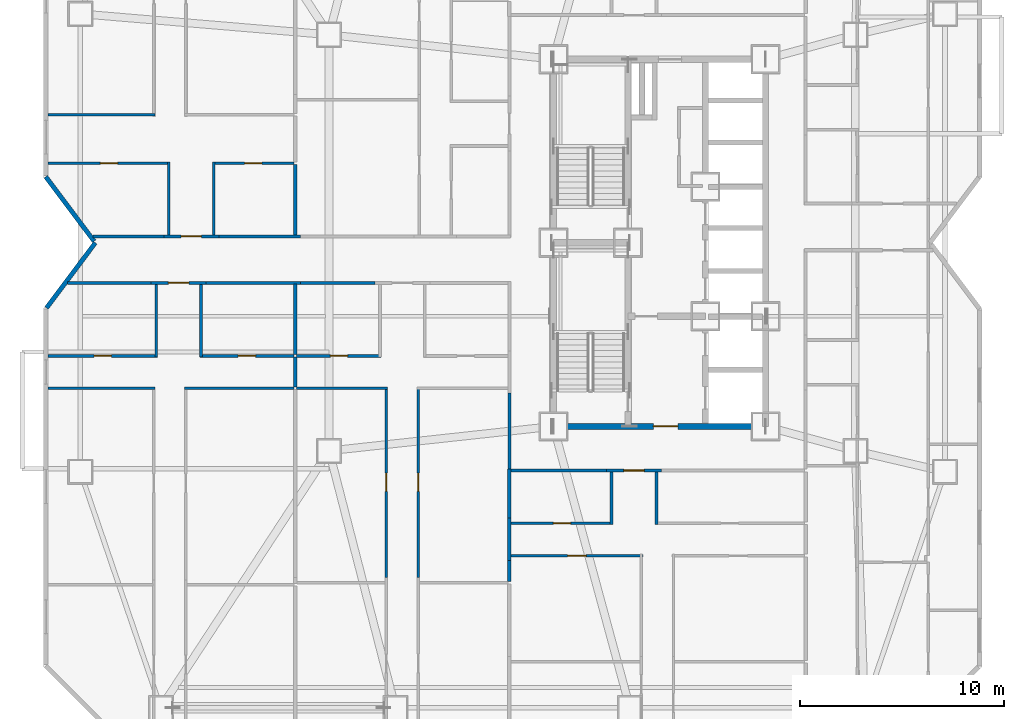
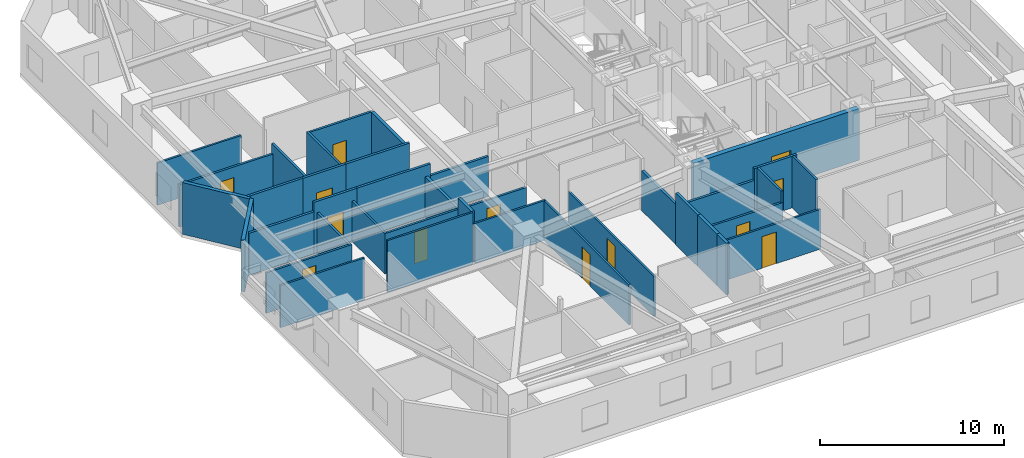
# One storey, part 8 of 14: 38 walls, 13 doors, 13 openings.
"""IFC4 building model written with IfcOpenShell, lengths in metres."""

from ifc_helpers import new_model, si_unit, direction, frame, frame_2d, origin, place, context, subcontext, project, spatial, rectangle, extrude, material, layer, layer_set, type_object, element, fill, save


model = new_model("IFC4")

# Units and contexts
model_context = context("Model", 3, precision=1e-05, world=origin(), true_north=direction((0.0, 1.0)))
body_context = subcontext(model_context, "Body", "Model", "MODEL_VIEW")
ifc_project = project(units=[si_unit("LENGTHUNIT", "METRE"), si_unit("AREAUNIT", "SQUARE_METRE"), si_unit("VOLUMEUNIT", "CUBIC_METRE"), si_unit("PLANEANGLEUNIT", "RADIAN"), si_unit("MASSUNIT", "GRAM", prefix="KILO")], contexts=[model_context])

# Site, building, storey
site_placement = place(None, origin())
site = spatial("IfcSite", under=ifc_project, at=site_placement, CompositionType="ELEMENT")
building_placement = place(site_placement, origin())
building = spatial("IfcBuilding", under=site, at=building_placement, Name="Khamvora Tower", CompositionType="ELEMENT")
storey_placement = place(building_placement, frame((0.0, 0.0, 40.60009765625)))
storey = spatial("IfcBuildingStorey", under=building, at=storey_placement, Name="L09", CompositionType="ELEMENT", Elevation=40.60009765625)

# Wall, opening, door
ifc_material_1 = material(Name="Concrete C50/60", Category="concrete")
ifc_layer_1 = layer(ifc_material_1, 0.300048828125)
ifc_layer_set_1 = layer_set([ifc_layer_1], Name="Concrete C50/60")
wall_type_1 = type_object("IfcWallType", Name="WAL-CORE-300", PredefinedType="SHEAR", material=ifc_layer_set_1)
wall_1_placement = place(storey_placement, frame((29.0, 19.0, 0.0), z_axis=(0.0, 0.0, 1.0), x_axis=(1.0, 0.0, 0.0)))
wall_1 = element("IfcWall", 1, at=wall_1_placement, inside=storey, type_object=wall_type_1, Name="L09 central core south wall", PredefinedType="SHEAR", context=body_context, shape_type="SweptSolid", body=[
    extrude(rectangle(XDim=10.39990234375, YDim=0.300048828125, at=frame_2d((5.199951171875, 0.0))), origin(), (0.0, 0.0, 1.0), 3.429931640625),
])
opening_1_placement = place(wall_1_placement, frame((4.89990234375, 0.0, 0.0)))
opening_1 = element("IfcOpeningElement", 2, at=opening_1_placement, cuts=wall_1, Name="Opening D-CR1", PredefinedType="OPENING", context=body_context, shape_type="SweptSolid", body=[
    extrude(rectangle(XDim=1.199951171875, YDim=2.14990234375, at=frame_2d((0.60009765625, 1.074951171875))), frame((0.0, 0.159912109375, 0.0), z_axis=(0.0, -1.0, 0.0), x_axis=(1.0, 0.0, 0.0)), (0.0, 0.0, 1.0), 0.320068359375),
])
ifc_material_2 = material(Name="Powder-Coated Steel and Hardwood Leaf", Category="steel")
door_type_1 = type_object("IfcDoorType", Name="DOR-CORR-1200", OperationType="NOTDEFINED", PredefinedType="DOOR", material=ifc_material_2)
door_1_placement = place(opening_1_placement, origin())
door_1 = element("IfcDoor", 3, at=door_1_placement, inside=storey, type_object=door_type_1, Name="L09 south core lobby to corridor fire door", OperationType="SINGLE_SWING_LEFT", OverallHeight=2.14990234375, OverallWidth=1.199951171875, PredefinedType="DOOR", context=body_context, shape_type="SweptSolid", body=[
    extrude(rectangle(XDim=1.199951171875, YDim=2.14990234375, at=frame_2d((0.60009765625, 1.074951171875))), frame((0.0, 0.02490234375, 0.0), z_axis=(0.0, -1.0, 0.0), x_axis=(1.0, 0.0, 0.0)), (0.0, 0.0, 1.0), 0.050048828125),
])
fill(opening_1, door_1)

ifc_material_3 = material(Name="Fire-Rated Drywall and Steel Stud", Category="steel")
ifc_layer_2 = layer(ifc_material_3, 0.14990234375)
ifc_layer_set_2 = layer_set([ifc_layer_2], Name="Fire-Rated Drywall and Steel Stud")
wall_type_2 = type_object("IfcWallType", Name="WAL-CORR-150", PredefinedType="STANDARD", material=ifc_layer_set_2)
wall_2_placement = place(storey_placement, frame((11.97412109375, 26.034912109375, 0.0), z_axis=(0.0, 0.0, 1.0), x_axis=(-1.0, 0.0, 0.0)))
wall_2 = element("IfcWall", 4, at=wall_2_placement, inside=storey, type_object=wall_type_2, Name="L09 interior partition wall 004", PredefinedType="STANDARD", context=body_context, shape_type="SweptSolid", body=[
    extrude(rectangle(XDim=2.6982421875, YDim=0.14990234375, at=frame_2d((1.34912109375, 0.0))), origin(), (0.0, 0.0, 1.0), 3.429931640625),
])
opening_2_placement = place(wall_2_placement, frame((0.84912109375, 0.0, 0.0)))
opening_2 = element("IfcOpeningElement", 5, at=opening_2_placement, cuts=wall_2, Name="Opening D-U1", PredefinedType="OPENING", context=body_context, shape_type="SweptSolid", body=[
    extrude(rectangle(XDim=1.0, YDim=2.14990234375, at=frame_2d((0.5, 1.074951171875))), frame((0.0, 0.0849609375, 0.0), z_axis=(0.0, -1.0, 0.0), x_axis=(1.0, 0.0, 0.0)), (0.0, 0.0, 1.0), 0.169921875),
])
door_type_2 = type_object("IfcDoorType", Name="DOR-UNIT-1000", OperationType="NOTDEFINED", PredefinedType="DOOR", material=ifc_material_2)
door_2_placement = place(opening_2_placement, origin())
door_2 = element("IfcDoor", 6, at=door_2_placement, inside=storey, type_object=door_type_2, Name="L09 interior door COR-09WA1H", OperationType="SINGLE_SWING_RIGHT", OverallHeight=2.14990234375, OverallWidth=1.0, PredefinedType="DOOR", context=body_context, shape_type="SweptSolid", body=[
    extrude(rectangle(XDim=1.0, YDim=2.14990234375, at=frame_2d((0.5, 1.074951171875))), frame((0.0, 0.02490234375, 0.0), z_axis=(0.0, -1.0, 0.0), x_axis=(1.0, 0.0, 0.0)), (0.0, 0.0, 1.0), 0.050048828125),
])
fill(opening_2, door_2)

# Walls
wall_3_placement = place(storey_placement, frame((16.595947265625, 26.034912109375, 0.0), z_axis=(0.0, 0.0, 1.0), x_axis=(-1.0, 0.0, 0.0)))
element("IfcWall", 7, at=wall_3_placement, inside=storey, type_object=wall_type_2, Name="L09 interior partition wall 005", PredefinedType="STANDARD", context=body_context, shape_type="SweptSolid", body=[
    extrude(rectangle(XDim=4.621826171875, YDim=0.14990234375, at=frame_2d((2.31103515625, 0.0))), origin(), (0.0, 0.0, 1.0), 3.429931640625),
])
wall_4_placement = place(storey_placement, frame((9.27587890625, 26.034912109375, 0.0), z_axis=(0.0, 0.0, 1.0), x_axis=(-1.0, 0.0, 0.0)))
element("IfcWall", 8, at=wall_4_placement, inside=storey, type_object=wall_type_2, Name="L09 interior partition wall 006", PredefinedType="STANDARD", context=body_context, shape_type="SweptSolid", body=[
    extrude(rectangle(XDim=4.099853515625, YDim=0.14990234375, at=frame_2d((2.0498046875, 0.0))), origin(), (0.0, 0.0, 1.0), 2.802978515625),
])
wall_5_placement = place(storey_placement, frame((20.241943359375, 26.034912109375, 0.0), z_axis=(0.0, 0.0, 1.0), x_axis=(-1.0, 0.0, 0.0)))
element("IfcWall", 9, at=wall_5_placement, inside=storey, type_object=wall_type_2, Name="L09 interior partition wall 009", PredefinedType="STANDARD", context=body_context, shape_type="SweptSolid", body=[
    extrude(rectangle(XDim=3.64599609375, YDim=0.14990234375, at=frame_2d((1.822998046875, 0.0))), origin(), (0.0, 0.0, 1.0), 2.64697265625),
])
wall_6_placement = place(storey_placement, frame((26.8349609375, 16.89990234375, 0.0), z_axis=(0.0, 0.0, 1.0), x_axis=(0.0, 1.0, 0.0)))
element("IfcWall", 10, at=wall_6_placement, inside=storey, type_object=wall_type_2, Name="L09 interior partition wall 012", PredefinedType="STANDARD", context=body_context, shape_type="SweptSolid", body=[
    extrude(rectangle(XDim=3.72607421875, YDim=0.14990234375, at=frame_2d((1.863037109375, 0.0))), origin(), (0.0, 0.0, 1.0), 2.64697265625),
])

# Wall, opening, door
wall_7_placement = place(storey_placement, frame((9.89501953125, 28.31494140625, 0.0), z_axis=(0.0, 0.0, 1.0), x_axis=(1.0, 0.0, 0.0)))
wall_7 = element("IfcWall", 11, at=wall_7_placement, inside=storey, type_object=wall_type_2, Name="L09 interior partition wall 013", PredefinedType="STANDARD", context=body_context, shape_type="SweptSolid", body=[
    extrude(rectangle(XDim=2.697998046875, YDim=0.14990234375, at=frame_2d((1.34912109375, 0.0))), origin(), (0.0, 0.0, 1.0), 3.429931640625),
])
opening_3_placement = place(wall_7_placement, frame((0.84912109375, 0.0, 0.0)))
opening_3 = element("IfcOpeningElement", 12, at=opening_3_placement, cuts=wall_7, Name="Opening D-U1", PredefinedType="OPENING", context=body_context, shape_type="SweptSolid", body=[
    extrude(rectangle(XDim=1.0, YDim=2.14990234375, at=frame_2d((0.5, 1.074951171875))), frame((0.0, 0.0849609375, 0.0), z_axis=(0.0, -1.0, 0.0), x_axis=(1.0, 0.0, 0.0)), (0.0, 0.0, 1.0), 0.169921875),
])
door_3_placement = place(opening_3_placement, origin())
door_3 = element("IfcDoor", 13, at=door_3_placement, inside=storey, type_object=door_type_2, Name="L09 interior door COR-09WB1H", OperationType="SINGLE_SWING_RIGHT", OverallHeight=2.14990234375, OverallWidth=1.0, PredefinedType="DOOR", context=body_context, shape_type="SweptSolid", body=[
    extrude(rectangle(XDim=1.0, YDim=2.14990234375, at=frame_2d((0.5, 1.074951171875))), frame((0.0, 0.02490234375, 0.0), z_axis=(0.0, -1.0, 0.0), x_axis=(1.0, 0.0, 0.0)), (0.0, 0.0, 1.0), 0.050048828125),
])
fill(opening_3, door_3)

# Walls
wall_8_placement = place(storey_placement, frame((12.593017578125, 28.31494140625, 0.0), z_axis=(0.0, 0.0, 1.0), x_axis=(1.0, 0.0, 0.0)))
element("IfcWall", 14, at=wall_8_placement, inside=storey, type_object=wall_type_2, Name="L09 interior partition wall 014", PredefinedType="STANDARD", context=body_context, shape_type="SweptSolid", body=[
    extrude(rectangle(XDim=4.0029296875, YDim=0.14990234375, at=frame_2d((2.00146484375, 0.0))), origin(), (0.0, 0.0, 1.0), 3.429931640625),
])
wall_9_placement = place(storey_placement, frame((6.4130859375, 28.31494140625, 0.0), z_axis=(0.0, 0.0, 1.0), x_axis=(1.0, 0.0, 0.0)))
element("IfcWall", 15, at=wall_9_placement, inside=storey, type_object=wall_type_2, Name="L09 interior partition wall 015", PredefinedType="STANDARD", context=body_context, shape_type="SweptSolid", body=[
    extrude(rectangle(XDim=3.48193359375, YDim=0.14990234375, at=frame_2d((1.740966796875, 0.0))), origin(), (0.0, 0.0, 1.0), 3.429931640625),
])

# Wall, opening, door
wall_10_placement = place(storey_placement, frame((34.299072265625, 16.8349609375, 0.0), z_axis=(0.0, 0.0, 1.0), x_axis=(-1.0, 0.0, 0.0)))
wall_10 = element("IfcWall", 16, at=wall_10_placement, inside=storey, type_object=wall_type_2, Name="L09 interior partition wall 022", PredefinedType="STANDARD", context=body_context, shape_type="SweptSolid", body=[
    extrude(rectangle(XDim=2.697998046875, YDim=0.14990234375, at=frame_2d((1.34912109375, 0.0))), origin(), (0.0, 0.0, 1.0), 3.429931640625),
])
opening_4_placement = place(wall_10_placement, frame((0.84912109375, 0.0, 0.0)))
opening_4 = element("IfcOpeningElement", 17, at=opening_4_placement, cuts=wall_10, Name="Opening D-U1", PredefinedType="OPENING", context=body_context, shape_type="SweptSolid", body=[
    extrude(rectangle(XDim=1.0, YDim=2.14990234375, at=frame_2d((0.5, 1.074951171875))), frame((0.0, 0.0849609375, 0.0), z_axis=(0.0, -1.0, 0.0), x_axis=(1.0, 0.0, 0.0)), (0.0, 0.0, 1.0), 0.169921875),
])
door_4_placement = place(opening_4_placement, origin())
door_4 = element("IfcDoor", 18, at=door_4_placement, inside=storey, type_object=door_type_2, Name="L09 interior door COR-09SAH", OperationType="SINGLE_SWING_RIGHT", OverallHeight=2.14990234375, OverallWidth=1.0, PredefinedType="DOOR", context=body_context, shape_type="SweptSolid", body=[
    extrude(rectangle(XDim=1.0, YDim=2.14990234375, at=frame_2d((0.5, 1.074951171875))), frame((0.0, 0.02490234375, 0.0), z_axis=(0.0, -1.0, 0.0), x_axis=(1.0, 0.0, 0.0)), (0.0, 0.0, 1.0), 0.050048828125),
])
fill(opening_4, door_4)

# Walls
wall_11_placement = place(storey_placement, frame((31.60107421875, 16.8349609375, 0.0), z_axis=(0.0, 0.0, 1.0), x_axis=(-1.0, 0.0, 0.0)))
element("IfcWall", 19, at=wall_11_placement, inside=storey, type_object=wall_type_2, Name="L09 interior partition wall 023", PredefinedType="STANDARD", context=body_context, shape_type="SweptSolid", body=[
    extrude(rectangle(XDim=4.701171875, YDim=0.14990234375, at=frame_2d((2.3505859375, 0.0))), origin(), (0.0, 0.0, 1.0), 2.64697265625),
])
ifc_material_4 = material(Name="Acoustic Double-Stud Fire Wall", Category="gypsum")
ifc_layer_3 = layer(ifc_material_4, 0.179931640625)
ifc_layer_set_3 = layer_set([ifc_layer_3], Name="Acoustic Double-Stud Fire Wall")
wall_type_3 = type_object("IfcWallType", Name="WAL-CORR-180", PredefinedType="STANDARD", material=ifc_layer_set_3)
wall_12_placement = place(storey_placement, frame((16.345947265625, 22.389892578125, 0.0), z_axis=(0.0, 0.0, 1.0), x_axis=(0.0, -1.0, 0.0)))
element("IfcWall", 20, at=wall_12_placement, inside=storey, type_object=wall_type_3, Name="L09 interior partition wall 049", PredefinedType="STANDARD", context=body_context, shape_type="SweptSolid", body=[
    extrude(rectangle(XDim=1.449951171875, YDim=0.179931640625, at=frame_2d((0.72509765625, 0.0))), origin(), (0.0, 0.0, 1.0), 3.429931640625),
])
wall_13_placement = place(storey_placement, frame((16.345947265625, 25.969970703125, 0.0), z_axis=(0.0, 0.0, 1.0), x_axis=(0.0, -1.0, 0.0)))
element("IfcWall", 21, at=wall_13_placement, inside=storey, type_object=wall_type_3, Name="L09 interior partition wall 050", PredefinedType="STANDARD", context=body_context, shape_type="SweptSolid", body=[
    extrude(rectangle(XDim=3.449951171875, YDim=0.179931640625, at=frame_2d((1.72509765625, 0.0))), origin(), (0.0, 0.0, 1.0), 2.68701171875),
])
wall_14_placement = place(storey_placement, frame((26.8349609375, 14.4951171875, 0.0), z_axis=(0.0, 0.0, 1.0), x_axis=(0.0, -1.0, 0.0)))
element("IfcWall", 22, at=wall_14_placement, inside=storey, type_object=wall_type_3, Name="L09 interior partition wall 070", PredefinedType="STANDARD", context=body_context, shape_type="SweptSolid", body=[
    extrude(rectangle(XDim=2.078125, YDim=0.179931640625, at=frame_2d((1.0390625, 0.0))), origin(), (0.0, 0.0, 1.0), 3.429931640625),
])
wall_15_placement = place(storey_placement, frame((26.8349609375, 16.89990234375, 0.0), z_axis=(0.0, 0.0, 1.0), x_axis=(0.0, -1.0, 0.0)))
element("IfcWall", 23, at=wall_15_placement, inside=storey, type_object=wall_type_3, Name="L09 interior partition wall 071", PredefinedType="STANDARD", context=body_context, shape_type="SweptSolid", body=[
    extrude(rectangle(XDim=2.40478515625, YDim=0.179931640625, at=frame_2d((1.202392578125, 0.0))), origin(), (0.0, 0.0, 1.0), 3.429931640625),
])
wall_16_placement = place(storey_placement, frame((26.8349609375, 12.4169921875, 0.0), z_axis=(0.0, 0.0, 1.0), x_axis=(0.0, -1.0, 0.0)))
element("IfcWall", 24, at=wall_16_placement, inside=storey, type_object=wall_type_3, Name="L09 interior partition wall 072", PredefinedType="STANDARD", context=body_context, shape_type="SweptSolid", body=[
    extrude(rectangle(XDim=1.02001953125, YDim=0.179931640625, at=frame_2d((0.510009765625, 0.0))), origin(), (0.0, 0.0, 1.0), 3.429931640625),
])
wall_17_placement = place(storey_placement, frame((16.345947265625, 31.830078125, 0.0), z_axis=(0.0, 0.0, 1.0), x_axis=(0.0, -1.0, 0.0)))
element("IfcWall", 25, at=wall_17_placement, inside=storey, type_object=wall_type_3, Name="L09 interior partition wall 084", PredefinedType="STANDARD", context=body_context, shape_type="SweptSolid", body=[
    extrude(rectangle(XDim=3.447998046875, YDim=0.179931640625, at=frame_2d((1.72412109375, 0.0))), origin(), (0.0, 0.0, 1.0), 3.429931640625),
])
ifc_material_5 = material(Name="Precast concrete C40/50", Category="concrete")
ifc_layer_4 = layer(ifc_material_5, 0.219970703125)
ifc_layer_set_4 = layer_set([ifc_layer_4], Name="Precast concrete C40/50")
wall_type_4 = type_object("IfcWallType", Name="WAL-EXT-220", PredefinedType="STANDARD", material=ifc_layer_set_4)
wall_18_placement = place(storey_placement, frame((4.14501953125, 24.80908203125, 0.0), z_axis=(0.0, 0.0, 1.0), x_axis=(0.599823674734, 0.800132213592, 0.0)))
element("IfcWall", 26, at=wall_18_placement, inside=storey, type_object=wall_type_4, Name="L09 exterior facade wall 03.1", PredefinedType="STANDARD", context=body_context, shape_type="SweptSolid", body=[
    extrude(rectangle(XDim=3.988037109375, YDim=0.219970703125, at=frame_2d((1.994140625, 0.0))), origin(), (0.0, 0.0, 1.0), 3.429931640625),
])
wall_19_placement = place(storey_placement, frame((6.47998046875, 28.076904296875, 0.0), z_axis=(0.0, 0.0, 1.0), x_axis=(-0.599960442794, 0.800029666377, 0.0)))
element("IfcWall", 27, at=wall_19_placement, inside=storey, type_object=wall_type_4, Name="L09 exterior facade wall 04.1", PredefinedType="STANDARD", context=body_context, shape_type="SweptSolid", body=[
    extrude(rectangle(XDim=3.949951171875, YDim=0.219970703125, at=frame_2d((1.97509765625, 0.0))), origin(), (0.0, 0.0, 1.0), 3.429931640625),
])
ifc_material_6 = material(Name="Gypsum Plasterboard Partition", Category="gypsum")
ifc_layer_5 = layer(ifc_material_6, 0.1201171875)
ifc_layer_set_5 = layer_set([ifc_layer_5], Name="Gypsum Plasterboard Partition")
wall_type_5 = type_object("IfcWallType", Name="WAL-PART-120", PredefinedType="PARTITIONING", material=ifc_layer_set_5)
wall_20_placement = place(storey_placement, frame((9.47607421875, 20.875, 0.0), z_axis=(0.0, 0.0, 1.0), x_axis=(-1.0, 0.0, 0.0)))
element("IfcWall", 28, at=wall_20_placement, inside=storey, type_object=wall_type_5, Name="L09 interior partition wall 045", PredefinedType="PARTITIONING", context=body_context, shape_type="SweptSolid", body=[
    extrude(rectangle(XDim=5.26416015625, YDim=0.1201171875, at=frame_2d((2.632080078125, 0.0))), origin(), (0.0, 0.0, 1.0), 2.802978515625),
])
wall_21_placement = place(storey_placement, frame((16.281005859375, 20.875, 0.0), z_axis=(0.0, 0.0, 1.0), x_axis=(-1.0, 0.0, 0.0)))
element("IfcWall", 29, at=wall_21_placement, inside=storey, type_object=wall_type_5, Name="L09 interior partition wall 048", PredefinedType="PARTITIONING", context=body_context, shape_type="SweptSolid", body=[
    extrude(rectangle(XDim=5.364990234375, YDim=0.1201171875, at=frame_2d((2.6826171875, 0.0))), origin(), (0.0, 0.0, 1.0), 3.429931640625),
])

# Wall, opening, door
wall_22_placement = place(storey_placement, frame((20.805908203125, 11.5810546875, 0.0), z_axis=(0.0, 0.0, 1.0), x_axis=(0.0, 1.0, 0.0)))
wall_22 = element("IfcWall", 30, at=wall_22_placement, inside=storey, type_object=wall_type_5, Name="L09 interior partition wall 061", PredefinedType="PARTITIONING", context=body_context, shape_type="SweptSolid", body=[
    extrude(rectangle(XDim=9.35888671875, YDim=0.1201171875, at=frame_2d((4.679443359375, 0.0))), origin(), (0.0, 0.0, 1.0), 2.64697265625),
])
opening_5_placement = place(wall_22_placement, frame((4.22900390625, 0.0, 0.0)))
opening_5 = element("IfcOpeningElement", 31, at=opening_5_placement, cuts=wall_22, Name="Opening D-RM1", PredefinedType="OPENING", context=body_context, shape_type="SweptSolid", body=[
    extrude(rectangle(XDim=0.89990234375, YDim=2.10009765625, at=frame_2d((0.449951171875, 1.050048828125))), frame((0.0, 0.070068359375, 0.0), z_axis=(0.0, -1.0, 0.0), x_axis=(1.0, 0.0, 0.0)), (0.0, 0.0, 1.0), 0.14013671875),
])
door_type_3 = type_object("IfcDoorType", Name="DOR-ROOM-900", OperationType="NOTDEFINED", PredefinedType="DOOR", material=ifc_material_2)
door_5_placement = place(opening_5_placement, origin())
door_5 = element("IfcDoor", 32, at=door_5_placement, inside=storey, type_object=door_type_3, Name="L09 interior door 09WA2H-09WA2R2", OperationType="SINGLE_SWING_LEFT", OverallHeight=2.10009765625, OverallWidth=0.89990234375, PredefinedType="DOOR", context=body_context, shape_type="SweptSolid", body=[
    extrude(rectangle(XDim=0.89990234375, YDim=2.10009765625, at=frame_2d((0.449951171875, 1.050048828125))), frame((0.0, 0.02490234375, 0.0), z_axis=(0.0, -1.0, 0.0), x_axis=(1.0, 0.0, 0.0)), (0.0, 0.0, 1.0), 0.050048828125),
])
fill(opening_5, door_5)

# Wall
wall_23_placement = place(storey_placement, frame((20.87109375, 20.875, 0.0), z_axis=(0.0, 0.0, 1.0), x_axis=(-1.0, 0.0, 0.0)))
element("IfcWall", 33, at=wall_23_placement, inside=storey, type_object=wall_type_5, Name="L09 interior partition wall 062", PredefinedType="PARTITIONING", context=body_context, shape_type="SweptSolid", body=[
    extrude(rectangle(XDim=4.460205078125, YDim=0.1201171875, at=frame_2d((2.22998046875, 0.0))), origin(), (0.0, 0.0, 1.0), 2.64697265625),
])

# Wall, opening, door
wall_24_placement = place(storey_placement, frame((22.3759765625, 20.93994140625, 0.0), z_axis=(0.0, 0.0, 1.0), x_axis=(0.0, -1.0, 0.0)))
wall_24 = element("IfcWall", 34, at=wall_24_placement, inside=storey, type_object=wall_type_5, Name="L09 interior partition wall 064", PredefinedType="PARTITIONING", context=body_context, shape_type="SweptSolid", body=[
    extrude(rectangle(XDim=9.35888671875, YDim=0.1201171875, at=frame_2d((4.679443359375, 0.0))), origin(), (0.0, 0.0, 1.0), 2.64697265625),
])
opening_6_placement = place(wall_24_placement, frame((4.22900390625, 0.0, 0.0)))
opening_6 = element("IfcOpeningElement", 35, at=opening_6_placement, cuts=wall_24, Name="Opening D-RM1", PredefinedType="OPENING", context=body_context, shape_type="SweptSolid", body=[
    extrude(rectangle(XDim=0.89990234375, YDim=2.10009765625, at=frame_2d((0.449951171875, 1.050048828125))), frame((0.0, 0.070068359375, 0.0), z_axis=(0.0, -1.0, 0.0), x_axis=(1.0, 0.0, 0.0)), (0.0, 0.0, 1.0), 0.14013671875),
])
door_6_placement = place(opening_6_placement, origin())
door_6 = element("IfcDoor", 36, at=door_6_placement, inside=storey, type_object=door_type_3, Name="L09 interior door 09WA2H-09WA2R4", OperationType="SINGLE_SWING_LEFT", OverallHeight=2.10009765625, OverallWidth=0.89990234375, PredefinedType="DOOR", context=body_context, shape_type="SweptSolid", body=[
    extrude(rectangle(XDim=0.89990234375, YDim=2.10009765625, at=frame_2d((0.449951171875, 1.050048828125))), frame((0.0, 0.02490234375, 0.0), z_axis=(0.0, -1.0, 0.0), x_axis=(1.0, 0.0, 0.0)), (0.0, 0.0, 1.0), 0.050048828125),
])
fill(opening_6, door_6)

# Wall
wall_25_placement = place(storey_placement, frame((4.2119140625, 34.27490234375, 0.0), z_axis=(0.0, 0.0, 1.0), x_axis=(1.0, 0.0, 0.0)))
element("IfcWall", 37, at=wall_25_placement, inside=storey, type_object=wall_type_5, Name="L09 interior partition wall 077", PredefinedType="PARTITIONING", context=body_context, shape_type="SweptSolid", body=[
    extrude(rectangle(XDim=5.26416015625, YDim=0.1201171875, at=frame_2d((2.632080078125, 0.0))), origin(), (0.0, 0.0, 1.0), 2.802978515625),
])

# Wall, opening, door
wall_26_placement = place(storey_placement, frame((33.3798828125, 12.666015625, 0.0), z_axis=(0.0, 0.0, 1.0), x_axis=(-1.0, 0.0, 0.0)))
wall_26 = element("IfcWall", 38, at=wall_26_placement, inside=storey, type_object=wall_type_5, Name="L09 interior partition wall 112", PredefinedType="PARTITIONING", context=body_context, shape_type="SweptSolid", body=[
    extrude(rectangle(XDim=6.462890625, YDim=0.1201171875, at=frame_2d((3.2314453125, 0.0))), origin(), (0.0, 0.0, 1.0), 2.64697265625),
])
opening_7_placement = place(wall_26_placement, frame((2.781005859375, 0.0, 0.0)))
opening_7 = element("IfcOpeningElement", 39, at=opening_7_placement, cuts=wall_26, Name="Opening D-RM1", PredefinedType="OPENING", context=body_context, shape_type="SweptSolid", body=[
    extrude(rectangle(XDim=0.89990234375, YDim=2.10009765625, at=frame_2d((0.449951171875, 1.050048828125))), frame((0.0, 0.070068359375, 0.0), z_axis=(0.0, -1.0, 0.0), x_axis=(1.0, 0.0, 0.0)), (0.0, 0.0, 1.0), 0.14013671875),
])
door_7_placement = place(opening_7_placement, origin())
door_7 = element("IfcDoor", 40, at=door_7_placement, inside=storey, type_object=door_type_3, Name="L09 interior door 09SAH-09SAR2", OperationType="SINGLE_SWING_LEFT", OverallHeight=2.10009765625, OverallWidth=0.89990234375, PredefinedType="DOOR", context=body_context, shape_type="SweptSolid", body=[
    extrude(rectangle(XDim=0.89990234375, YDim=2.10009765625, at=frame_2d((0.449951171875, 1.050048828125))), frame((0.0, 0.02490234375, 0.0), z_axis=(0.0, -1.0, 0.0), x_axis=(1.0, 0.0, 0.0)), (0.0, 0.0, 1.0), 0.050048828125),
])
fill(opening_7, door_7)

# Wall
ifc_material_7 = material(Name="Moisture-Resistant Plasterboard Partition", Category="gypsum")
ifc_layer_6 = layer(ifc_material_7, 0.135009765625)
ifc_layer_set_6 = layer_set([ifc_layer_6], Name="Moisture-Resistant Plasterboard Partition")
wall_type_6 = type_object("IfcWallType", Name="WAL-WET-135", PredefinedType="PARTITIONING", material=ifc_layer_set_6)
wall_27_placement = place(storey_placement, frame((11.72509765625, 25.969970703125, 0.0), z_axis=(0.0, 0.0, 1.0), x_axis=(0.0, -1.0, 0.0)))
element("IfcWall", 41, at=wall_27_placement, inside=storey, type_object=wall_type_6, Name="L09 interior partition wall 039", PredefinedType="PARTITIONING", context=body_context, shape_type="SweptSolid", body=[
    extrude(rectangle(XDim=3.580078125, YDim=0.135009765625, at=frame_2d((1.7900390625, 0.0))), origin(), (0.0, 0.0, 1.0), 2.68701171875),
])

# Wall, opening, door
wall_28_placement = place(storey_placement, frame((11.659912109375, 22.455078125, 0.0), z_axis=(0.0, 0.0, 1.0), x_axis=(1.0, 0.0, 0.0)))
wall_28 = element("IfcWall", 42, at=wall_28_placement, inside=storey, type_object=wall_type_6, Name="L09 interior partition wall 040", PredefinedType="PARTITIONING", context=body_context, shape_type="SweptSolid", body=[
    extrude(rectangle(XDim=4.62109375, YDim=0.135009765625, at=frame_2d((2.310546875, 0.0))), origin(), (0.0, 0.0, 1.0), 2.68701171875),
])
opening_8_placement = place(wall_28_placement, frame((1.885986328125, 0.0, 0.0)))
opening_8 = element("IfcOpeningElement", 43, at=opening_8_placement, cuts=wall_28, Name="Opening D-WC1", PredefinedType="OPENING", context=body_context, shape_type="SweptSolid", body=[
    extrude(rectangle(XDim=0.85009765625, YDim=2.10009765625, at=frame_2d((0.425048828125, 1.050048828125))), frame((0.0, 0.077392578125, 0.0), z_axis=(0.0, -1.0, 0.0), x_axis=(1.0, 0.0, 0.0)), (0.0, 0.0, 1.0), 0.155029296875),
])
door_type_4 = type_object("IfcDoorType", Name="DOR-WET-850", OperationType="NOTDEFINED", PredefinedType="DOOR", material=ifc_material_2)
door_8_placement = place(opening_8_placement, origin())
door_8 = element("IfcDoor", 44, at=door_8_placement, inside=storey, type_object=door_type_4, Name="L09 interior door 09WA1H-09WA1B", OperationType="SINGLE_SWING_RIGHT", OverallHeight=2.10009765625, OverallWidth=0.85009765625, PredefinedType="DOOR", context=body_context, shape_type="SweptSolid", body=[
    extrude(rectangle(XDim=0.85009765625, YDim=2.10009765625, at=frame_2d((0.425048828125, 1.050048828125))), frame((0.0, 0.02490234375, 0.0), z_axis=(0.0, -1.0, 0.0), x_axis=(1.0, 0.0, 0.0)), (0.0, 0.0, 1.0), 0.050048828125),
])
fill(opening_8, door_8)

wall_29_placement = place(storey_placement, frame((4.2119140625, 22.455078125, 0.0), z_axis=(0.0, 0.0, 1.0), x_axis=(1.0, 0.0, 0.0)))
wall_29 = element("IfcWall", 45, at=wall_29_placement, inside=storey, type_object=wall_type_6, Name="L09 interior partition wall 041", PredefinedType="PARTITIONING", context=body_context, shape_type="SweptSolid", body=[
    extrude(rectangle(XDim=5.378173828125, YDim=0.135009765625, at=frame_2d((2.68896484375, 0.0))), origin(), (0.0, 0.0, 1.0), 2.68701171875),
])
opening_9_placement = place(wall_29_placement, frame((2.263916015625, 0.0, 0.0)))
opening_9 = element("IfcOpeningElement", 46, at=opening_9_placement, cuts=wall_29, Name="Opening D-RM2", PredefinedType="OPENING", context=body_context, shape_type="SweptSolid", body=[
    extrude(rectangle(XDim=0.85009765625, YDim=2.10009765625, at=frame_2d((0.425048828125, 1.050048828125))), frame((0.0, 0.077392578125, 0.0), z_axis=(0.0, -1.0, 0.0), x_axis=(1.0, 0.0, 0.0)), (0.0, 0.0, 1.0), 0.155029296875),
])
door_type_5 = type_object("IfcDoorType", Name="DOR-ROOM-850", OperationType="NOTDEFINED", PredefinedType="DOOR", material=ifc_material_2)
door_9_placement = place(opening_9_placement, origin())
door_9 = element("IfcDoor", 47, at=door_9_placement, inside=storey, type_object=door_type_5, Name="L09 interior door 09WA1H-09WA1K", OperationType="SINGLE_SWING_LEFT", OverallHeight=2.10009765625, OverallWidth=0.85009765625, PredefinedType="DOOR", context=body_context, shape_type="SweptSolid", body=[
    extrude(rectangle(XDim=0.85009765625, YDim=2.10009765625, at=frame_2d((0.425048828125, 1.050048828125))), frame((0.0, 0.02490234375, 0.0), z_axis=(0.0, -1.0, 0.0), x_axis=(1.0, 0.0, 0.0)), (0.0, 0.0, 1.0), 0.050048828125),
])
fill(opening_9, door_9)

# Wall
wall_30_placement = place(storey_placement, frame((9.52490234375, 22.389892578125, 0.0), z_axis=(0.0, 0.0, 1.0), x_axis=(0.0, 1.0, 0.0)))
element("IfcWall", 48, at=wall_30_placement, inside=storey, type_object=wall_type_6, Name="L09 interior partition wall 042", PredefinedType="PARTITIONING", context=body_context, shape_type="SweptSolid", body=[
    extrude(rectangle(XDim=3.580078125, YDim=0.135009765625, at=frame_2d((1.7900390625, 0.0))), origin(), (0.0, 0.0, 1.0), 2.68701171875),
])

# Wall, opening, door
wall_31_placement = place(storey_placement, frame((16.410888671875, 22.455078125, 0.0), z_axis=(0.0, 0.0, 1.0), x_axis=(1.0, 0.0, 0.0)))
wall_31 = element("IfcWall", 49, at=wall_31_placement, inside=storey, type_object=wall_type_6, Name="L09 interior partition wall 056", PredefinedType="PARTITIONING", context=body_context, shape_type="SweptSolid", body=[
    extrude(rectangle(XDim=4.14501953125, YDim=0.135009765625, at=frame_2d((2.072509765625, 0.0))), origin(), (0.0, 0.0, 1.0), 2.64697265625),
])
opening_10_placement = place(wall_31_placement, frame((1.64697265625, 0.0, 0.0)))
opening_10 = element("IfcOpeningElement", 50, at=opening_10_placement, cuts=wall_31, Name="Opening D-WC1", PredefinedType="OPENING", context=body_context, shape_type="SweptSolid", body=[
    extrude(rectangle(XDim=0.85009765625, YDim=2.10009765625, at=frame_2d((0.425048828125, 1.050048828125))), frame((0.0, 0.077392578125, 0.0), z_axis=(0.0, -1.0, 0.0), x_axis=(1.0, 0.0, 0.0)), (0.0, 0.0, 1.0), 0.155029296875),
])
door_10_placement = place(opening_10_placement, origin())
door_10 = element("IfcDoor", 51, at=door_10_placement, inside=storey, type_object=door_type_4, Name="L09 interior door 09WA2H-09WA2B", OperationType="SINGLE_SWING_RIGHT", OverallHeight=2.10009765625, OverallWidth=0.85009765625, PredefinedType="DOOR", context=body_context, shape_type="SweptSolid", body=[
    extrude(rectangle(XDim=0.85009765625, YDim=2.10009765625, at=frame_2d((0.425048828125, 1.050048828125))), frame((0.0, 0.02490234375, 0.0), z_axis=(0.0, -1.0, 0.0), x_axis=(1.0, 0.0, 0.0)), (0.0, 0.0, 1.0), 0.050048828125),
])
fill(opening_10, door_10)

wall_32_placement = place(storey_placement, frame((16.281005859375, 31.89501953125, 0.0), z_axis=(0.0, 0.0, 1.0), x_axis=(-1.0, 0.0, 0.0)))
wall_32 = element("IfcWall", 52, at=wall_32_placement, inside=storey, type_object=wall_type_6, Name="L09 interior partition wall 073", PredefinedType="PARTITIONING", context=body_context, shape_type="SweptSolid", body=[
    extrude(rectangle(XDim=4.001953125, YDim=0.135009765625, at=frame_2d((2.0009765625, 0.0))), origin(), (0.0, 0.0, 1.0), 3.429931640625),
])
opening_11_placement = place(wall_32_placement, frame((1.575927734375, 0.0, 0.0)))
opening_11 = element("IfcOpeningElement", 53, at=opening_11_placement, cuts=wall_32, Name="Opening D-WC1", PredefinedType="OPENING", context=body_context, shape_type="SweptSolid", body=[
    extrude(rectangle(XDim=0.85009765625, YDim=2.10009765625, at=frame_2d((0.425048828125, 1.050048828125))), frame((0.0, 0.077392578125, 0.0), z_axis=(0.0, -1.0, 0.0), x_axis=(1.0, 0.0, 0.0)), (0.0, 0.0, 1.0), 0.155029296875),
])
door_11_placement = place(opening_11_placement, origin())
door_11 = element("IfcDoor", 54, at=door_11_placement, inside=storey, type_object=door_type_4, Name="L09 interior door 09WB1H-09WB1B", OperationType="SINGLE_SWING_RIGHT", OverallHeight=2.10009765625, OverallWidth=0.85009765625, PredefinedType="DOOR", context=body_context, shape_type="SweptSolid", body=[
    extrude(rectangle(XDim=0.85009765625, YDim=2.10009765625, at=frame_2d((0.425048828125, 1.050048828125))), frame((0.0, 0.02490234375, 0.0), z_axis=(0.0, -1.0, 0.0), x_axis=(1.0, 0.0, 0.0)), (0.0, 0.0, 1.0), 0.050048828125),
])
fill(opening_11, door_11)

# Walls
for number, where, z_axis, x_axis, name in (
    (55, (12.343994140625, 31.9599609375, 0.0), (0.0, 0.0, 1.0), (0.0, -1.0, 0.0), "L09 interior partition wall 074"),
    (56, (10.14404296875, 28.382080078125, 0.0), (0.0, 0.0, 1.0), (0.0, 1.0, 0.0), "L09 interior partition wall 075"),
):
    element("IfcWall", number, at=place(storey_placement, frame(where, z_axis=z_axis, x_axis=x_axis)), inside=storey, type_object=wall_type_6, Name=name, PredefinedType="PARTITIONING", context=body_context, shape_type="SweptSolid", body=[
        extrude(rectangle(XDim=3.577880859375, YDim=0.135009765625, at=frame_2d((1.7890625, 0.0))), origin(), (0.0, 0.0, 1.0), 3.429931640625),
    ])

# Wall, opening, door
wall_33_placement = place(storey_placement, frame((10.208984375, 31.89501953125, 0.0), z_axis=(0.0, 0.0, 1.0), x_axis=(-1.0, 0.0, 0.0)))
wall_33 = element("IfcWall", 57, at=wall_33_placement, inside=storey, type_object=wall_type_6, Name="L09 interior partition wall 076", PredefinedType="PARTITIONING", context=body_context, shape_type="SweptSolid", body=[
    extrude(rectangle(XDim=5.9970703125, YDim=0.135009765625, at=frame_2d((2.99853515625, 0.0))), origin(), (0.0, 0.0, 1.0), 2.802978515625),
])
opening_12_placement = place(wall_33_placement, frame((2.573974609375, 0.0, 0.0)))
opening_12 = element("IfcOpeningElement", 58, at=opening_12_placement, cuts=wall_33, Name="Opening D-RM2", PredefinedType="OPENING", context=body_context, shape_type="SweptSolid", body=[
    extrude(rectangle(XDim=0.85009765625, YDim=2.10009765625, at=frame_2d((0.425048828125, 1.050048828125))), frame((0.0, 0.077392578125, 0.0), z_axis=(0.0, -1.0, 0.0), x_axis=(1.0, 0.0, 0.0)), (0.0, 0.0, 1.0), 0.155029296875),
])
door_12_placement = place(opening_12_placement, origin())
door_12 = element("IfcDoor", 59, at=door_12_placement, inside=storey, type_object=door_type_5, Name="L09 interior door 09WB1H-09WB1K", OperationType="SINGLE_SWING_LEFT", OverallHeight=2.10009765625, OverallWidth=0.85009765625, PredefinedType="DOOR", context=body_context, shape_type="SweptSolid", body=[
    extrude(rectangle(XDim=0.85009765625, YDim=2.10009765625, at=frame_2d((0.425048828125, 1.050048828125))), frame((0.0, 0.02490234375, 0.0), z_axis=(0.0, -1.0, 0.0), x_axis=(1.0, 0.0, 0.0)), (0.0, 0.0, 1.0), 0.050048828125),
])
fill(opening_12, door_12)

wall_34_placement = place(storey_placement, frame((26.9169921875, 14.24609375, 0.0), z_axis=(0.0, 0.0, 1.0), x_axis=(1.0, 0.0, 0.0)))
wall_34 = element("IfcWall", 60, at=wall_34_placement, inside=storey, type_object=wall_type_6, Name="L09 interior partition wall 106", PredefinedType="PARTITIONING", context=body_context, shape_type="SweptSolid", body=[
    extrude(rectangle(XDim=4.998046875, YDim=0.135009765625, at=frame_2d((2.4990234375, 0.0))), origin(), (0.0, 0.0, 1.0), 2.64697265625),
])
opening_13_placement = place(wall_34_placement, frame((2.073974609375, 0.0, 0.0)))
opening_13 = element("IfcOpeningElement", 61, at=opening_13_placement, cuts=wall_34, Name="Opening D-WC1", PredefinedType="OPENING", context=body_context, shape_type="SweptSolid", body=[
    extrude(rectangle(XDim=0.85009765625, YDim=2.10009765625, at=frame_2d((0.425048828125, 1.050048828125))), frame((0.0, 0.077392578125, 0.0), z_axis=(0.0, -1.0, 0.0), x_axis=(1.0, 0.0, 0.0)), (0.0, 0.0, 1.0), 0.155029296875),
])
door_13_placement = place(opening_13_placement, origin())
door_13 = element("IfcDoor", 62, at=door_13_placement, inside=storey, type_object=door_type_4, Name="L09 interior door 09SAH-09SAB", OperationType="SINGLE_SWING_RIGHT", OverallHeight=2.10009765625, OverallWidth=0.85009765625, PredefinedType="DOOR", context=body_context, shape_type="SweptSolid", body=[
    extrude(rectangle(XDim=0.85009765625, YDim=2.10009765625, at=frame_2d((0.425048828125, 1.050048828125))), frame((0.0, 0.02490234375, 0.0), z_axis=(0.0, -1.0, 0.0), x_axis=(1.0, 0.0, 0.0)), (0.0, 0.0, 1.0), 0.050048828125),
])
fill(opening_13, door_13)

# Walls
for number, where, z_axis, x_axis, name in (
    (63, (31.85009765625, 14.180908203125, 0.0), (0.0, 0.0, 1.0), (0.0, 1.0, 0.0), "L09 interior partition wall 107"),
    (64, (34.050048828125, 16.77001953125, 0.0), (0.0, 0.0, 1.0), (0.0, -1.0, 0.0), "L09 interior partition wall 108"),
):
    element("IfcWall", number, at=place(storey_placement, frame(where, z_axis=z_axis, x_axis=x_axis)), inside=storey, type_object=wall_type_6, Name=name, PredefinedType="PARTITIONING", context=body_context, shape_type="SweptSolid", body=[
        extrude(rectangle(XDim=2.589111328125, YDim=0.135009765625, at=frame_2d((1.29443359375, 0.0))), origin(), (0.0, 0.0, 1.0), 3.429931640625),
    ])

save(model, "model.ifc")
